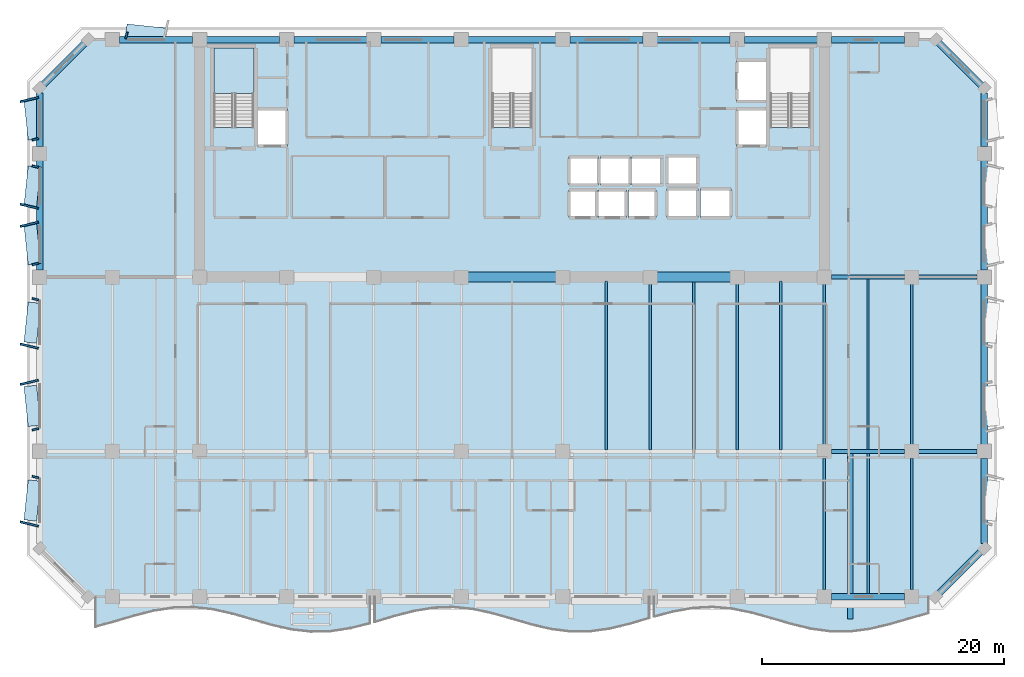
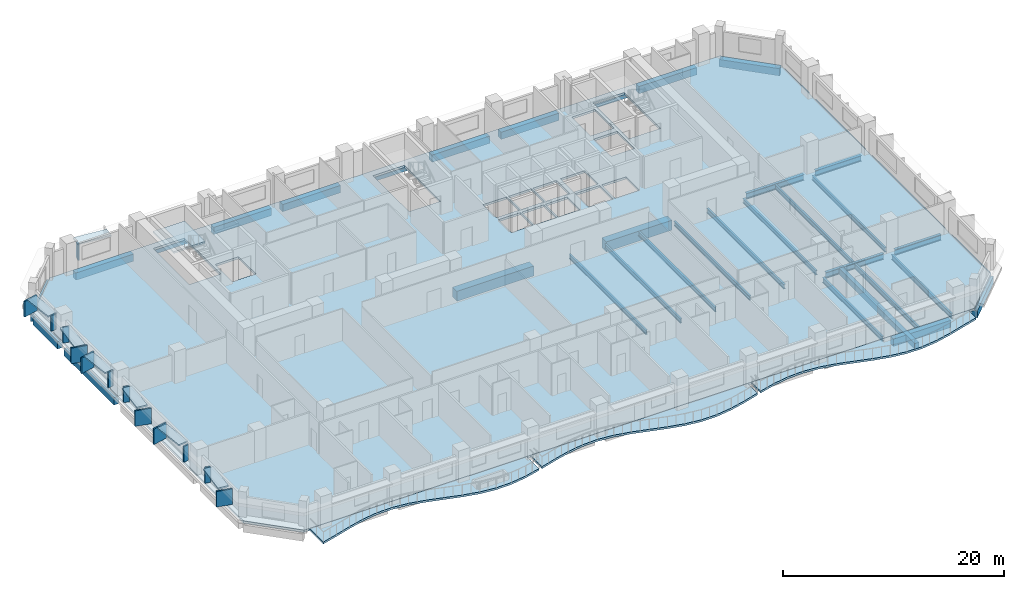
# One storey, part 2 of 15: 37 beams, 20 plates, 5 slabs, 1 element without a shape of its own.
"""IFC4 building model written with IfcOpenShell, lengths in metres."""

from ifc_helpers import new_model, si_unit, direction, frame, origin, origin_2d, place, context, subcontext, project, spatial, polyline, rectangle, i_section, outline, extrude, material, layer, layer_set, material_profile, profile_set, type_object, element, aggregate, save


model = new_model("IFC4")

# Units and contexts
model_context = context("Model", 3, precision=1e-05, world=origin(), true_north=direction((0.0, 1.0)))
body_context = subcontext(model_context, "Body", "Model", "MODEL_VIEW")
ifc_project = project(units=[si_unit("LENGTHUNIT", "METRE"), si_unit("AREAUNIT", "SQUARE_METRE"), si_unit("VOLUMEUNIT", "CUBIC_METRE"), si_unit("PLANEANGLEUNIT", "RADIAN"), si_unit("MASSUNIT", "GRAM", prefix="KILO")], contexts=[model_context])

# Site, building, storey
site_placement = place(None, origin())
site = spatial("IfcSite", under=ifc_project, at=site_placement, CompositionType="ELEMENT")
building_placement = place(site_placement, origin())
building = spatial("IfcBuilding", under=site, at=building_placement, Name="Kaelvorn Grand Hotel", CompositionType="ELEMENT")
storey_placement = place(building_placement, frame((0.0, 0.0, 154.35009765625)))
storey = spatial("IfcBuildingStorey", under=building, at=storey_placement, Name="L37", CompositionType="ELEMENT", Elevation=154.35009765625)

# Beams
ifc_material_1 = material(Name="Steel S355", Category="steel")
ifc_material_profile_1 = material_profile(ifc_material_1, i_section(OverallWidth=0.300048828125, OverallDepth=0.64990234375, WebThickness=0.01611328125, FlangeThickness=0.031005859375, FilletRadius=0.027099609375, at=origin_2d()), Name="HEB 650")
ifc_profile_set_1 = profile_set([ifc_material_profile_1], Name="Steel S355")
beam_type_1 = type_object("IfcBeamType", Name="BM-G-HEB650-S355", PredefinedType="BEAM", material=ifc_profile_set_1)
beam_1_placement = place(storey_placement, frame((68.385009765625, 15.0, -0.565185546875), z_axis=(1.0, 0.0, 0.0), x_axis=(0.0, 1.0, 0.0)))
element("IfcBeam", 1, at=beam_1_placement, inside=storey, type_object=beam_type_1, Name="L37 Primary Spine Steel Girder G-15 06", PredefinedType="BEAM", context=body_context, shape_type="SweptSolid", body=[
    extrude(i_section(OverallWidth=0.300048828125, OverallDepth=0.64990234375, WebThickness=0.01611328125, FlangeThickness=0.031005859375, FilletRadius=0.027099609375, at=origin_2d()), origin(), (0.0, 0.0, 1.0), 6.030029296875),
])
beam_2_placement = place(storey_placement, frame((75.5849609375, 15.0, -0.565185546875), z_axis=(1.0, 0.0, 0.0), x_axis=(0.0, 1.0, 0.0)))
element("IfcBeam", 2, at=beam_2_placement, inside=storey, type_object=beam_type_1, Name="L37 Primary Spine Steel Girder G-15 07", PredefinedType="BEAM", context=body_context, shape_type="SweptSolid", body=[
    extrude(i_section(OverallWidth=0.300048828125, OverallDepth=0.64990234375, WebThickness=0.01611328125, FlangeThickness=0.031005859375, FilletRadius=0.027099609375, at=origin_2d()), origin(), (0.0, 0.0, 1.0), 4.830078125),
])
beam_3_placement = place(storey_placement, frame((68.385009765625, 29.39990234375, -0.565185546875), z_axis=(1.0, 0.0, 0.0), x_axis=(0.0, 1.0, 0.0)))
element("IfcBeam", 3, at=beam_3_placement, inside=storey, type_object=beam_type_1, Name="L37 East Core Wing Steel Girder G-29E 01", PredefinedType="BEAM", context=body_context, shape_type="SweptSolid", body=[
    extrude(i_section(OverallWidth=0.300048828125, OverallDepth=0.64990234375, WebThickness=0.01611328125, FlangeThickness=0.031005859375, FilletRadius=0.027099609375, at=origin_2d()), origin(), (0.0, 0.0, 1.0), 6.030029296875),
])
beam_4_placement = place(storey_placement, frame((75.5849609375, 29.39990234375, -0.565185546875), z_axis=(1.0, 0.0, 0.0), x_axis=(0.0, 1.0, 0.0)))
element("IfcBeam", 4, at=beam_4_placement, inside=storey, type_object=beam_type_1, Name="L37 East Core Wing Steel Girder G-29E 02", PredefinedType="BEAM", context=body_context, shape_type="SweptSolid", body=[
    extrude(i_section(OverallWidth=0.300048828125, OverallDepth=0.64990234375, WebThickness=0.01611328125, FlangeThickness=0.031005859375, FilletRadius=0.027099609375, at=origin_2d()), origin(), (0.0, 0.0, 1.0), 4.830078125),
])
ifc_material_profile_2 = material_profile(ifc_material_1, i_section(OverallWidth=0.199951171875, OverallDepth=0.5, WebThickness=0.01025390625, FlangeThickness=0.01611328125, FilletRadius=0.02099609375, at=origin_2d()), Name="IPE 500")
ifc_profile_set_2 = profile_set([ifc_material_profile_2], Name="Steel S355")
beam_type_2 = type_object("IfcBeamType", Name="BM-J-IPE500-S355", PredefinedType="JOIST", material=ifc_profile_set_2)
beam_5_placement = place(storey_placement, frame((49.800048828125, 15.135009765625, -0.489990234375), z_axis=(0.0, 1.0, 0.0), x_axis=(-1.0, 0.0, 0.0)))
element("IfcBeam", 5, at=beam_5_placement, inside=storey, type_object=beam_type_2, Name="L37 Composite Floor Joist JM-14", PredefinedType="JOIST", context=body_context, shape_type="SweptSolid", body=[
    extrude(i_section(OverallWidth=0.199951171875, OverallDepth=0.5, WebThickness=0.01025390625, FlangeThickness=0.01611328125, FilletRadius=0.02099609375, at=origin_2d()), origin(), (0.0, 0.0, 1.0), 13.925048828125),
])
beam_6_placement = place(storey_placement, frame((53.39990234375, 15.135009765625, -0.489990234375), z_axis=(0.0, 1.0, 0.0), x_axis=(-1.0, 0.0, 0.0)))
element("IfcBeam", 6, at=beam_6_placement, inside=storey, type_object=beam_type_2, Name="L37 Composite Floor Joist JM-15", PredefinedType="JOIST", context=body_context, shape_type="SweptSolid", body=[
    extrude(i_section(OverallWidth=0.199951171875, OverallDepth=0.5, WebThickness=0.01025390625, FlangeThickness=0.01611328125, FilletRadius=0.02099609375, at=origin_2d()), origin(), (0.0, 0.0, 1.0), 13.679931640625),
])
beam_7_placement = place(storey_placement, frame((57.0, 15.135009765625, -0.489990234375), z_axis=(0.0, 1.0, 0.0), x_axis=(-1.0, 0.0, 0.0)))
element("IfcBeam", 7, at=beam_7_placement, inside=storey, type_object=beam_type_2, Name="L37 Composite Floor Joist JM-16", PredefinedType="JOIST", context=body_context, shape_type="SweptSolid", body=[
    extrude(i_section(OverallWidth=0.199951171875, OverallDepth=0.5, WebThickness=0.01025390625, FlangeThickness=0.01611328125, FilletRadius=0.02099609375, at=origin_2d()), origin(), (0.0, 0.0, 1.0), 13.925048828125),
])
beam_8_placement = place(storey_placement, frame((60.60009765625, 15.135009765625, -0.489990234375), z_axis=(0.0, 1.0, 0.0), x_axis=(-1.0, 0.0, 0.0)))
element("IfcBeam", 8, at=beam_8_placement, inside=storey, type_object=beam_type_2, Name="L37 Composite Floor Joist JM-17", PredefinedType="JOIST", context=body_context, shape_type="SweptSolid", body=[
    extrude(i_section(OverallWidth=0.199951171875, OverallDepth=0.5, WebThickness=0.01025390625, FlangeThickness=0.01611328125, FilletRadius=0.02099609375, at=origin_2d()), origin(), (0.0, 0.0, 1.0), 13.679931640625),
])
beam_9_placement = place(storey_placement, frame((64.199951171875, 15.135009765625, -0.489990234375), z_axis=(0.0, 1.0, 0.0), x_axis=(-1.0, 0.0, 0.0)))
element("IfcBeam", 9, at=beam_9_placement, inside=storey, type_object=beam_type_2, Name="L37 Composite Floor Joist JM-18", PredefinedType="JOIST", context=body_context, shape_type="SweptSolid", body=[
    extrude(i_section(OverallWidth=0.199951171875, OverallDepth=0.5, WebThickness=0.01025390625, FlangeThickness=0.01611328125, FilletRadius=0.02099609375, at=origin_2d()), origin(), (0.0, 0.0, 1.0), 13.925048828125),
])
beam_10_placement = place(storey_placement, frame((67.800048828125, 15.5849609375, -0.489990234375), z_axis=(0.0, 1.0, 0.0), x_axis=(-1.0, 0.0, 0.0)))
element("IfcBeam", 10, at=beam_10_placement, inside=storey, type_object=beam_type_2, Name="L37 Composite Floor Joist JM-19", PredefinedType="JOIST", context=body_context, shape_type="SweptSolid", body=[
    extrude(i_section(OverallWidth=0.199951171875, OverallDepth=0.5, WebThickness=0.01025390625, FlangeThickness=0.01611328125, FilletRadius=0.02099609375, at=origin_2d()), origin(), (0.0, 0.0, 1.0), 13.22998046875),
])
beam_11_placement = place(storey_placement, frame((71.39990234375, 15.135009765625, -0.489990234375), z_axis=(0.0, 1.0, 0.0), x_axis=(-1.0, 0.0, 0.0)))
element("IfcBeam", 11, at=beam_11_placement, inside=storey, type_object=beam_type_2, Name="L37 Composite Floor Joist JM-20", PredefinedType="JOIST", context=body_context, shape_type="SweptSolid", body=[
    extrude(i_section(OverallWidth=0.199951171875, OverallDepth=0.5, WebThickness=0.01025390625, FlangeThickness=0.01611328125, FilletRadius=0.02099609375, at=origin_2d()), origin(), (0.0, 0.0, 1.0), 14.1298828125),
])
beam_12_placement = place(storey_placement, frame((75.0, 15.5849609375, -0.489990234375), z_axis=(0.0, 1.0, 0.0), x_axis=(-1.0, 0.0, 0.0)))
element("IfcBeam", 12, at=beam_12_placement, inside=storey, type_object=beam_type_2, Name="L37 Composite Floor Joist JM-21", PredefinedType="JOIST", context=body_context, shape_type="SweptSolid", body=[
    extrude(i_section(OverallWidth=0.199951171875, OverallDepth=0.5, WebThickness=0.01025390625, FlangeThickness=0.01611328125, FilletRadius=0.02099609375, at=origin_2d()), origin(), (0.0, 0.0, 1.0), 13.22998046875),
])
ifc_material_profile_3 = material_profile(ifc_material_1, i_section(OverallWidth=0.2099609375, OverallDepth=0.550048828125, WebThickness=0.010986328125, FlangeThickness=0.01708984375, FilletRadius=0.02392578125, at=origin_2d()), Name="IPE 550")
ifc_profile_set_3 = profile_set([ifc_material_profile_3], Name="Steel S355")
beam_type_3 = type_object("IfcBeamType", Name="BM-J-IPE550-S355", PredefinedType="JOIST", material=ifc_profile_set_3)
beam_13_placement = place(storey_placement, frame((67.800048828125, 3.5849609375, -0.51513671875), z_axis=(0.0, 1.0, 0.0), x_axis=(-1.0, 0.0, 0.0)))
element("IfcBeam", 13, at=beam_13_placement, inside=storey, type_object=beam_type_3, Name="L37 Composite Floor Joist JS-19", PredefinedType="JOIST", context=body_context, shape_type="SweptSolid", body=[
    extrude(i_section(OverallWidth=0.2099609375, OverallDepth=0.550048828125, WebThickness=0.010986328125, FlangeThickness=0.01708984375, FilletRadius=0.02392578125, at=origin_2d()), origin(), (0.0, 0.0, 1.0), 10.830078125),
])
beam_14_placement = place(storey_placement, frame((71.39990234375, 3.260009765625, -0.51513671875), z_axis=(0.0, 1.0, 0.0), x_axis=(-1.0, 0.0, 0.0)))
element("IfcBeam", 14, at=beam_14_placement, inside=storey, type_object=beam_type_3, Name="L37 Composite Floor Joist JS-20", PredefinedType="JOIST", context=body_context, shape_type="SweptSolid", body=[
    extrude(i_section(OverallWidth=0.2099609375, OverallDepth=0.550048828125, WebThickness=0.010986328125, FlangeThickness=0.01708984375, FilletRadius=0.02392578125, at=origin_2d()), origin(), (0.0, 0.0, 1.0), 11.60498046875),
])
beam_15_placement = place(storey_placement, frame((75.0, 3.5849609375, -0.51513671875), z_axis=(0.0, 1.0, 0.0), x_axis=(-1.0, 0.0, 0.0)))
element("IfcBeam", 15, at=beam_15_placement, inside=storey, type_object=beam_type_3, Name="L37 Composite Floor Joist JS-21", PredefinedType="JOIST", context=body_context, shape_type="SweptSolid", body=[
    extrude(i_section(OverallWidth=0.2099609375, OverallDepth=0.550048828125, WebThickness=0.010986328125, FlangeThickness=0.01708984375, FilletRadius=0.02392578125, at=origin_2d()), origin(), (0.0, 0.0, 1.0), 10.830078125),
])
ifc_material_2 = material(Name="Concrete C60/75", Category="concrete")
ifc_material_profile_4 = material_profile(ifc_material_2, rectangle(XDim=0.800048828125, YDim=1.10009765625, at=origin_2d()), Name="RC LINTEL 800x1100")
ifc_profile_set_4 = profile_set([ifc_material_profile_4], Name="Concrete C60/75")
beam_type_4 = type_object("IfcBeamType", Name="BM-LIN-800x1100-C60", PredefinedType="LINTEL", material=ifc_profile_set_4)
beam_16_placement = place(storey_placement, frame((37.97998046875, 29.39990234375, -0.7900390625), z_axis=(1.0, 0.0, 0.0), x_axis=(0.0, 1.0, 0.0)))
element("IfcBeam", 16, at=beam_16_placement, inside=storey, type_object=beam_type_4, Name="L37 Rear-Core Coupling Lintel Beam CB1-02", PredefinedType="LINTEL", context=body_context, shape_type="SweptSolid", body=[
    extrude(rectangle(XDim=0.800048828125, YDim=1.10009765625, at=origin_2d()), origin(), (0.0, 0.0, 1.0), 8.0400390625),
])
beam_17_placement = place(storey_placement, frame((53.580078125, 29.39990234375, -0.7900390625), z_axis=(1.0, 0.0, 0.0), x_axis=(0.0, 1.0, 0.0)))
element("IfcBeam", 17, at=beam_17_placement, inside=storey, type_object=beam_type_4, Name="L37 Rear-Core Coupling Lintel Beam CB1-03", PredefinedType="LINTEL", context=body_context, shape_type="SweptSolid", body=[
    extrude(rectangle(XDim=0.800048828125, YDim=1.10009765625, at=origin_2d()), origin(), (0.0, 0.0, 1.0), 6.83984375),
])
ifc_material_3 = material(Name="Concrete C40/50", Category="concrete")
ifc_material_profile_5 = material_profile(ifc_material_3, rectangle(XDim=0.449951171875, YDim=0.64990234375, at=origin_2d()), Name="RC RIB 450x650")
ifc_profile_set_5 = profile_set([ifc_material_profile_5], Name="Concrete C40/50")
beam_type_5 = type_object("IfcBeamType", Name="BM-RIB-450x650-C40", PredefinedType="SPANDREL", material=ifc_profile_set_5)
beam_18_placement = place(storey_placement, frame((69.923828125, 1.14990234375, -0.545166015625), z_axis=(0.0, 1.0, 0.0), x_axis=(-1.0, 0.0, 0.0)))
element("IfcBeam", 18, at=beam_18_placement, inside=storey, type_object=beam_type_5, Name="L37 Cantilevered Balcony Back-Span Rib RB1-3", PredefinedType="SPANDREL", context=body_context, shape_type="SweptSolid", body=[
    extrude(rectangle(XDim=0.449951171875, YDim=0.64990234375, at=origin_2d()), origin(), (0.0, 0.0, 1.0), 13.715087890625),
])
ifc_material_4 = material(Name="Concrete C50/60", Category="concrete")
ifc_material_profile_6 = material_profile(ifc_material_4, rectangle(XDim=0.550048828125, YDim=0.800048828125, at=origin_2d()), Name="RC SPANDREL 550x800")
ifc_profile_set_6 = profile_set([ifc_material_profile_6], Name="Concrete C50/60")
beam_type_6 = type_object("IfcBeamType", Name="BM-SP-550x800-C50", PredefinedType="SPANDREL", material=ifc_profile_set_6)
for number, where, z_axis, x_axis, name in (
    (19, (68.385009765625, 3.0, -0.64013671875), (1.0, 0.0, 0.0), (0.0, 1.0, 0.0), "L37 South Perimeter Spandrel 10"),
    (20, (9.5849609375, 49.0, -0.64013671875), (1.0, 0.0, 0.0), (0.0, 1.0, 0.0), "L37 North Perimeter Spandrel 02"),
    (21, (16.784912109375, 49.0, -0.64013671875), (1.0, 0.0, 0.0), (0.0, 1.0, 0.0), "L37 North Perimeter Spandrel 03"),
):
    element("IfcBeam", number, at=place(storey_placement, frame(where, z_axis=z_axis, x_axis=x_axis)), inside=storey, type_object=beam_type_6, Name=name, PredefinedType="SPANDREL", context=body_context, shape_type="SweptSolid", body=[
        extrude(rectangle(XDim=0.550048828125, YDim=0.800048828125, at=origin_2d()), origin(), (0.0, 0.0, 1.0), 6.030029296875),
    ])
beam_19_placement = place(storey_placement, frame((23.985107421875, 49.0, -0.64013671875), z_axis=(1.0, 0.0, 0.0), x_axis=(0.0, 1.0, 0.0)))
element("IfcBeam", 22, at=beam_19_placement, inside=storey, type_object=beam_type_6, Name="L37 North Perimeter Spandrel 04", PredefinedType="SPANDREL", context=body_context, shape_type="SweptSolid", body=[
    extrude(rectangle(XDim=0.550048828125, YDim=0.800048828125, at=origin_2d()), origin(), (0.0, 0.0, 1.0), 6.02978515625),
])
beam_20_placement = place(storey_placement, frame((31.18505859375, 49.0, -0.64013671875), z_axis=(1.0, 0.0, 0.0), x_axis=(0.0, 1.0, 0.0)))
element("IfcBeam", 23, at=beam_20_placement, inside=storey, type_object=beam_type_6, Name="L37 North Perimeter Spandrel 05", PredefinedType="SPANDREL", context=body_context, shape_type="SweptSolid", body=[
    extrude(rectangle(XDim=0.550048828125, YDim=0.800048828125, at=origin_2d()), origin(), (0.0, 0.0, 1.0), 6.030029296875),
])
beam_21_placement = place(storey_placement, frame((38.385009765625, 49.0, -0.64013671875), z_axis=(1.0, 0.0, 0.0), x_axis=(0.0, 1.0, 0.0)))
element("IfcBeam", 24, at=beam_21_placement, inside=storey, type_object=beam_type_6, Name="L37 North Perimeter Spandrel 06", PredefinedType="SPANDREL", context=body_context, shape_type="SweptSolid", body=[
    extrude(rectangle(XDim=0.550048828125, YDim=0.800048828125, at=origin_2d()), origin(), (0.0, 0.0, 1.0), 7.22998046875),
])
beam_22_placement = place(storey_placement, frame((46.784912109375, 49.0, -0.64013671875), z_axis=(1.0, 0.0, 0.0), x_axis=(0.0, 1.0, 0.0)))
element("IfcBeam", 25, at=beam_22_placement, inside=storey, type_object=beam_type_6, Name="L37 North Perimeter Spandrel 07", PredefinedType="SPANDREL", context=body_context, shape_type="SweptSolid", body=[
    extrude(rectangle(XDim=0.550048828125, YDim=0.800048828125, at=origin_2d()), origin(), (0.0, 0.0, 1.0), 6.030029296875),
])
beam_23_placement = place(storey_placement, frame((53.985107421875, 49.0, -0.64013671875), z_axis=(1.0, 0.0, 0.0), x_axis=(0.0, 1.0, 0.0)))
element("IfcBeam", 26, at=beam_23_placement, inside=storey, type_object=beam_type_6, Name="L37 North Perimeter Spandrel 08", PredefinedType="SPANDREL", context=body_context, shape_type="SweptSolid", body=[
    extrude(rectangle(XDim=0.550048828125, YDim=0.800048828125, at=origin_2d()), origin(), (0.0, 0.0, 1.0), 6.02978515625),
])
for number, where, z_axis, x_axis, name in (
    (27, (61.18505859375, 49.0, -0.64013671875), (1.0, 0.0, 0.0), (0.0, 1.0, 0.0), "L37 North Perimeter Spandrel 09"),
    (28, (68.385009765625, 49.0, -0.64013671875), (1.0, 0.0, 0.0), (0.0, 1.0, 0.0), "L37 North Perimeter Spandrel 10"),
):
    element("IfcBeam", number, at=place(storey_placement, frame(where, z_axis=z_axis, x_axis=x_axis)), inside=storey, type_object=beam_type_6, Name=name, PredefinedType="SPANDREL", context=body_context, shape_type="SweptSolid", body=[
        extrude(rectangle(XDim=0.550048828125, YDim=0.800048828125, at=origin_2d()), origin(), (0.0, 0.0, 1.0), 6.030029296875),
    ])
beam_24_placement = place(storey_placement, frame((3.0, 29.985107421875, -0.64013671875), z_axis=(0.0, 1.0, 0.0), x_axis=(-1.0, 0.0, 0.0)))
element("IfcBeam", 29, at=beam_24_placement, inside=storey, type_object=beam_type_6, Name="L37 West Perimeter Spandrel 03", PredefinedType="SPANDREL", context=body_context, shape_type="SweptSolid", body=[
    extrude(rectangle(XDim=0.550048828125, YDim=0.800048828125, at=origin_2d()), origin(), (0.0, 0.0, 1.0), 9.02978515625),
])
beam_25_placement = place(storey_placement, frame((3.0, 40.18505859375, -0.64013671875), z_axis=(0.0, 1.0, 0.0), x_axis=(-1.0, 0.0, 0.0)))
element("IfcBeam", 30, at=beam_25_placement, inside=storey, type_object=beam_type_6, Name="L37 West Perimeter Spandrel 04", PredefinedType="SPANDREL", context=body_context, shape_type="SweptSolid", body=[
    extrude(rectangle(XDim=0.550048828125, YDim=0.800048828125, at=origin_2d()), origin(), (0.0, 0.0, 1.0), 4.409912109375),
])
beam_26_placement = place(storey_placement, frame((81.0, 7.405029296875, -0.64013671875), z_axis=(0.0, 1.0, 0.0), x_axis=(-1.0, 0.0, 0.0)))
element("IfcBeam", 31, at=beam_26_placement, inside=storey, type_object=beam_type_6, Name="L37 East Perimeter Spandrel 01", PredefinedType="SPANDREL", context=body_context, shape_type="SweptSolid", body=[
    extrude(rectangle(XDim=0.550048828125, YDim=0.800048828125, at=origin_2d()), origin(), (0.0, 0.0, 1.0), 7.010009765625),
])
beam_27_placement = place(storey_placement, frame((81.0, 15.5849609375, -0.64013671875), z_axis=(0.0, 1.0, 0.0), x_axis=(-1.0, 0.0, 0.0)))
element("IfcBeam", 32, at=beam_27_placement, inside=storey, type_object=beam_type_6, Name="L37 East Perimeter Spandrel 02", PredefinedType="SPANDREL", context=body_context, shape_type="SweptSolid", body=[
    extrude(rectangle(XDim=0.550048828125, YDim=0.800048828125, at=origin_2d()), origin(), (0.0, 0.0, 1.0), 13.22998046875),
])
beam_28_placement = place(storey_placement, frame((81.0, 29.985107421875, -0.64013671875), z_axis=(0.0, 1.0, 0.0), x_axis=(-1.0, 0.0, 0.0)))
element("IfcBeam", 33, at=beam_28_placement, inside=storey, type_object=beam_type_6, Name="L37 East Perimeter Spandrel 03", PredefinedType="SPANDREL", context=body_context, shape_type="SweptSolid", body=[
    extrude(rectangle(XDim=0.550048828125, YDim=0.800048828125, at=origin_2d()), origin(), (0.0, 0.0, 1.0), 9.02978515625),
])
beam_29_placement = place(storey_placement, frame((81.0, 40.18505859375, -0.64013671875), z_axis=(0.0, 1.0, 0.0), x_axis=(-1.0, 0.0, 0.0)))
element("IfcBeam", 34, at=beam_29_placement, inside=storey, type_object=beam_type_6, Name="L37 East Perimeter Spandrel 04", PredefinedType="SPANDREL", context=body_context, shape_type="SweptSolid", body=[
    extrude(rectangle(XDim=0.550048828125, YDim=0.800048828125, at=origin_2d()), origin(), (0.0, 0.0, 1.0), 4.409912109375),
])
for number, where, z_axis, x_axis, name in (
    (35, (77.0, 3.0, -0.64013671875), (0.707106781187, 0.707106781187, 0.0), (-0.707106781187, 0.707106781187, 0.0), "L37 Chamfer Spandrel Beam 1"),
    (36, (81.0, 45.0, -0.64013671875), (-0.707106781187, 0.707106781187, 0.0), (-0.707106781187, -0.707106781187, 0.0), "L37 Chamfer Spandrel Beam 2"),
    (37, (7.0, 49.0, -0.64013671875), (-0.707106781187, -0.707106781187, 0.0), (0.707106781187, -0.707106781187, 0.0), "L37 Chamfer Spandrel Beam 3"),
):
    element("IfcBeam", number, at=place(storey_placement, frame(where, z_axis=z_axis, x_axis=x_axis)), inside=storey, type_object=beam_type_6, Name=name, PredefinedType="SPANDREL", context=body_context, shape_type="SweptSolid", body=[
        extrude(rectangle(XDim=0.550048828125, YDim=0.800048828125, at=origin_2d()), origin(), (0.0, 0.0, 1.0), 5.65673828125),
    ])

# Plates
ifc_material_5 = material(Name="Precast concrete C45/55", Category="concrete")
ifc_layer_1 = layer(ifc_material_5, 0.159912109375)
ifc_layer_set_1 = layer_set([ifc_layer_1], Name="Precast concrete C45/55")
plate_type_1 = type_object("IfcPlateType", Name="PL-FRAME-DEEP-1550", PredefinedType="USERDEFINED", material=ifc_layer_set_1)
for number, where, z_axis, x_axis, name in (
    (38, (2.14501953125, 9.010009765625, 0.81494140625), (0.0, 0.0, 1.0), (0.233445363856, 0.972369920398, 0.0), "L37 Tilted Precast Window Frame Fin L-W01"),
    (39, (2.14501953125, 20.705078125, 0.81494140625), (0.0, 0.0, 1.0), (-0.233445363856, 0.972369920398, 0.0), "L37 Tilted Precast Window Frame Fin R-W02"),
    (40, (2.14501953125, 23.695068359375, 0.81494140625), (0.0, 0.0, 1.0), (0.233445363856, 0.972369920398, 0.0), "L37 Tilted Precast Window Frame Fin L-W03"),
    (41, (2.14501953125, 33.7548828125, 0.73974609375), (0.0, 0.0, 1.0), (-0.233445363856, 0.972369920398, 0.0), "L37 Tilted Precast Window Frame Fin R-W04"),
    (42, (2.14501953125, 35.2451171875, 0.73974609375), (0.0, 0.0, 1.0), (0.233445363856, 0.972369920398, 0.0), "L37 Tilted Precast Window Frame Fin L-W05"),
    (43, (2.14501953125, 44.054931640625, 0.73974609375), (0.0, 0.0, 1.0), (-0.233445363856, 0.972369920398, 0.0), "L37 Tilted Precast Window Frame Fin R-W06"),
):
    element("IfcPlate", number, at=place(storey_placement, frame(where, z_axis=z_axis, x_axis=x_axis)), inside=storey, type_object=plate_type_1, Name=name, ObjectType="FLANGE_PLATE", PredefinedType="USERDEFINED", context=body_context, shape_type="SweptSolid", body=[
        extrude(rectangle(XDim=0.159912109375, YDim=1.550048828125, at=origin_2d()), origin(), (0.0, 0.0, 1.0), 1.719970703125),
    ])
ifc_layer_2 = layer(ifc_material_5, 0.159912109375)
ifc_layer_set_2 = layer_set([ifc_layer_2], Name="Precast concrete C45/55")
plate_type_2 = type_object("IfcPlateType", Name="PL-FRAME-HEAD-1050", PredefinedType="USERDEFINED", material=ifc_layer_set_2)
for number, where, z_axis, x_axis, name in (
    (44, (2.39501953125, 10.949951171875, 2.5), (0.0, 0.0, 1.0), (0.105830199459, 0.994384215926, 0.0), "L37 Precast Window Frame Head Hood H-W01"),
    (45, (2.39501953125, 18.764892578125, 2.5), (0.0, 0.0, 1.0), (-0.105830199459, 0.994384215926, 0.0), "L37 Precast Window Frame Head Hood H-W02"),
    (46, (2.39501953125, 25.635009765625, 2.5), (0.0, 0.0, 1.0), (0.105830199459, 0.994384215926, 0.0), "L37 Precast Window Frame Head Hood H-W03"),
    (47, (2.39501953125, 32.114990234375, 2.35009765625), (0.0, 0.0, 1.0), (-0.105830199459, 0.994384215926, 0.0), "L37 Precast Window Frame Head Hood H-W04"),
    (48, (2.39501953125, 36.885009765625, 2.35009765625), (0.0, 0.0, 1.0), (0.105830199459, 0.994384215926, 0.0), "L37 Precast Window Frame Head Hood H-W05"),
    (49, (2.39501953125, 42.4150390625, 2.35009765625), (0.0, 0.0, 1.0), (-0.105830199459, 0.994384215926, 0.0), "L37 Precast Window Frame Head Hood H-W06"),
    (50, (11.800048828125, 49.60498046875, 2.35009765625), (0.0, 0.0, 1.0), (0.994384215926, -0.105830199459, 0.0), "L37 Precast Window Frame Head Hood H-N01"),
):
    element("IfcPlate", number, at=place(storey_placement, frame(where, z_axis=z_axis, x_axis=x_axis)), inside=storey, type_object=plate_type_2, Name=name, ObjectType="FLANGE_PLATE", PredefinedType="USERDEFINED", context=body_context, shape_type="SweptSolid", body=[
        extrude(rectangle(XDim=3.320068359375, YDim=1.050048828125, at=origin_2d()), origin(), (0.0, 0.0, 1.0), 0.159912109375),
    ])
ifc_layer_3 = layer(ifc_material_5, 0.159912109375)
ifc_layer_set_3 = layer_set([ifc_layer_3], Name="Precast concrete C45/55")
plate_type_3 = type_object("IfcPlateType", Name="PL-FRAME-SHAL-550", PredefinedType="USERDEFINED", material=ifc_layer_set_3)
for number, where, z_axis, x_axis, name in (
    (51, (2.64501953125, 12.889892578125, 0.81494140625), (0.0, 0.0, 1.0), (0.233445363856, 0.972369920398, 0.0), "L37 Tilted Precast Window Frame Fin R-W01"),
    (52, (2.64501953125, 16.824951171875, 0.81494140625), (0.0, 0.0, 1.0), (-0.233445363856, 0.972369920398, 0.0), "L37 Tilted Precast Window Frame Fin L-W02"),
    (53, (2.64501953125, 27.574951171875, 0.81494140625), (0.0, 0.0, 1.0), (0.233445363856, 0.972369920398, 0.0), "L37 Tilted Precast Window Frame Fin R-W03"),
    (54, (2.64501953125, 30.47509765625, 0.73974609375), (0.0, 0.0, 1.0), (-0.233445363856, 0.972369920398, 0.0), "L37 Tilted Precast Window Frame Fin L-W04"),
    (55, (2.64501953125, 38.52490234375, 0.73974609375), (0.0, 0.0, 1.0), (0.233445363856, 0.972369920398, 0.0), "L37 Tilted Precast Window Frame Fin R-W05"),
    (56, (2.64501953125, 40.77490234375, 0.73974609375), (0.0, 0.0, 1.0), (-0.233445363856, 0.972369920398, 0.0), "L37 Tilted Precast Window Frame Fin L-W06"),
    (57, (10.159912109375, 49.35498046875, 0.73974609375), (0.0, 0.0, 1.0), (0.972369920398, -0.233445363856, 0.0), "L37 Tilted Precast Window Frame Fin L-N01"),
):
    element("IfcPlate", number, at=place(storey_placement, frame(where, z_axis=z_axis, x_axis=x_axis)), inside=storey, type_object=plate_type_3, Name=name, ObjectType="FLANGE_PLATE", PredefinedType="USERDEFINED", context=body_context, shape_type="SweptSolid", body=[
        extrude(rectangle(XDim=0.159912109375, YDim=0.550048828125, at=origin_2d()), origin(), (0.0, 0.0, 1.0), 1.719970703125),
    ])

# Slabs
ifc_layer_4 = layer(ifc_material_3, 0.219970703125)
ifc_layer_set_4 = layer_set([ifc_layer_4], Name="Concrete C40/50")
slab_type_1 = type_object("IfcSlabType", Name="SLB-BALC-220-C40", PredefinedType="FLOOR", material=ifc_layer_set_4)
slab_1_placement = place(storey_placement, frame((0.0, 0.0, -0.22021484375)))
element("IfcSlab", 58, at=slab_1_placement, inside=storey, type_object=slab_type_1, Name="L37 Scalloped Wave Balcony Slab 1", PredefinedType="FLOOR", context=body_context, shape_type="SweptSolid", body=[
    extrude(outline(polyline([(7.60009765625, 0.5224609375), (9.218994140625, 0.96435546875), (10.838134765625, 1.441162109375), (12.45703125, 1.84912109375), (14.076171875, 2.099365234375), (15.6953125, 2.1376953125), (17.314208984375, 1.955322265625), (18.933349609375, 1.592041015625), (20.552490234375, 1.127197265625), (22.17138671875, 0.661865234375), (23.79052734375, 0.29736328125), (25.409423828125, 0.113037109375), (27.028564453125, 0.149169921875), (28.647705078125, 0.397705078125), (30.2666015625, 0.804443359375), (30.2666015625, 3.0), (7.60009765625, 3.0), (7.60009765625, 0.5224609375)])), origin(), (0.0, 0.0, 1.0), 0.22021484375),
])
slab_2_placement = place(storey_placement, frame((0.0, 0.0, -0.22021484375)))
element("IfcSlab", 59, at=slab_2_placement, inside=storey, type_object=slab_type_1, Name="L37 Scalloped Wave Balcony Slab 2", PredefinedType="FLOOR", context=body_context, shape_type="SweptSolid", body=[
    extrude(outline(polyline([(30.666748046875, 0.919677734375), (32.28564453125, 1.397705078125), (33.90478515625, 1.81640625), (35.52392578125, 2.08447265625), (37.142822265625, 2.1435546875), (38.761962890625, 1.98095703125), (40.380859375, 1.632080078125), (42.0, 1.172607421875), (43.619140625, 0.702880859375), (45.238037109375, 0.324951171875), (46.857177734375, 0.121337890625), (48.47607421875, 0.13623046875), (50.09521484375, 0.3662109375), (51.71435546875, 0.76171875), (53.333251953125, 1.236083984375), (53.333251953125, 3.0), (30.666748046875, 3.0), (30.666748046875, 0.919677734375)])), origin(), (0.0, 0.0, 1.0), 0.22021484375),
])
slab_3_placement = place(storey_placement, frame((0.0, 0.0, -0.22021484375)))
element("IfcSlab", 60, at=slab_3_placement, inside=storey, type_object=slab_type_1, Name="L37 Scalloped Wave Balcony Slab 3", PredefinedType="FLOOR", context=body_context, shape_type="SweptSolid", body=[
    extrude(outline(polyline([(53.7333984375, 1.353759765625), (55.352294921875, 1.7822265625), (56.971435546875, 2.067626953125), (58.590576171875, 2.147705078125), (60.20947265625, 2.005126953125), (61.82861328125, 1.671142578125), (63.447509765625, 1.218017578125), (65.066650390625, 0.74462890625), (66.685791015625, 0.354248046875), (68.3046875, 0.131591796875), (69.923828125, 0.125244140625), (71.54296875, 0.33642578125), (73.161865234375, 0.719482421875), (74.781005859375, 1.19091796875), (76.39990234375, 1.647705078125), (76.39990234375, 3.0), (53.7333984375, 3.0), (53.7333984375, 1.353759765625)])), origin(), (0.0, 0.0, 1.0), 0.22021484375),
])
ifc_layer_5 = layer(ifc_material_3, 0.239990234375)
ifc_layer_set_5 = layer_set([ifc_layer_5], Name="Concrete C40/50")
slab_type_2 = type_object("IfcSlabType", Name="SLB-FLR-240-C40", PredefinedType="FLOOR", material=ifc_layer_set_5)
slab_4_placement = place(storey_placement, frame((0.0, 0.0, -0.239990234375)))
element("IfcSlab", 61, at=slab_4_placement, inside=storey, type_object=slab_type_2, Name="L37 Indoor Suspended Floor Slab", PredefinedType="FLOOR", context=body_context, shape_type="SweptSolid", body=[
    extrude(outline(polyline([(7.0, 3.0), (77.0, 3.0), (81.0, 7.0), (81.0, 45.0), (77.0, 49.0), (7.0, 49.0), (3.0, 45.0), (3.0, 7.0), (7.0, 3.0)]), holes=[polyline([(17.39990234375, 41.760009765625), (17.39990234375, 48.300048828125), (20.679931640625, 48.300048828125), (20.679931640625, 41.760009765625), (17.39990234375, 41.760009765625)]), polyline([(40.360107421875, 41.760009765625), (40.360107421875, 48.300048828125), (43.639892578125, 48.300048828125), (43.639892578125, 41.760009765625), (40.360107421875, 41.760009765625)]), polyline([(63.320068359375, 41.760009765625), (63.320068359375, 48.300048828125), (66.60009765625, 48.300048828125), (66.60009765625, 41.760009765625), (63.320068359375, 41.760009765625)]), polyline([(46.699951171875, 34.300048828125), (46.699951171875, 36.60009765625), (49.0, 36.60009765625), (49.0, 34.300048828125), (46.699951171875, 34.300048828125)]), polyline([(49.14990234375, 34.300048828125), (49.14990234375, 36.60009765625), (51.449951171875, 36.60009765625), (51.449951171875, 34.300048828125), (49.14990234375, 34.300048828125)]), polyline([(51.60009765625, 34.300048828125), (51.60009765625, 36.60009765625), (53.89990234375, 36.60009765625), (53.89990234375, 34.300048828125), (51.60009765625, 34.300048828125)]), polyline([(46.699951171875, 37.0), (46.699951171875, 39.35009765625), (49.14990234375, 39.35009765625), (49.14990234375, 37.0), (46.699951171875, 37.0)]), polyline([(49.300048828125, 37.0), (49.300048828125, 39.35009765625), (51.75, 39.35009765625), (51.75, 37.0), (49.300048828125, 37.0)]), polyline([(51.89990234375, 37.0), (51.89990234375, 39.35009765625), (54.35009765625, 39.35009765625), (54.35009765625, 37.0), (51.89990234375, 37.0)]), polyline([(54.800048828125, 34.300048828125), (54.800048828125, 36.699951171875), (57.35009765625, 36.699951171875), (57.35009765625, 34.300048828125), (54.800048828125, 34.300048828125)]), polyline([(57.550048828125, 34.300048828125), (57.550048828125, 36.699951171875), (60.10009765625, 36.699951171875), (60.10009765625, 34.300048828125), (57.550048828125, 34.300048828125)]), polyline([(54.800048828125, 37.0), (54.800048828125, 39.39990234375), (57.35009765625, 39.39990234375), (57.35009765625, 37.0), (54.800048828125, 37.0)]), polyline([(21.0, 40.199951171875), (21.0, 43.300048828125), (23.449951171875, 43.300048828125), (23.449951171875, 40.199951171875), (21.0, 40.199951171875)]), polyline([(60.550048828125, 40.199951171875), (60.550048828125, 43.300048828125), (63.0, 43.300048828125), (63.0, 40.199951171875), (60.550048828125, 40.199951171875)]), polyline([(60.550048828125, 43.89990234375), (60.550048828125, 47.300048828125), (63.0, 47.300048828125), (63.0, 43.89990234375), (60.550048828125, 43.89990234375)])]), origin(), (0.0, 0.0, 1.0), 0.239990234375),
])

# Stair, slab
stair_type = type_object("IfcStairType", Name="STR-DOG-1560-R08", PredefinedType="HALF_TURN_STAIR", material=ifc_material_3)
stair_placement = place(storey_placement, origin())
stair = element("IfcStair", 62, at=stair_placement, inside=storey, type_object=stair_type, Name="L37 West Core Exit Stair ST1", PredefinedType="HALF_TURN_STAIR")
ifc_layer_6 = layer(ifc_material_3, 0.199951171875)
ifc_layer_set_6 = layer_set([ifc_layer_6], Name="Concrete C40/50")
slab_type_3 = type_object("IfcSlabType", Name="SLB-LAND-200-C40", PredefinedType="LANDING", material=ifc_layer_set_6)
slab_5_placement = place(storey_placement, frame((0.0, 0.0, 1.699951171875)))
slab_5 = element("IfcSlab", 63, at=slab_5_placement, type_object=slab_type_3, Name="ST1 landing 1", PredefinedType="LANDING", context=body_context, shape_type="SweptSolid", body=[
    extrude(outline(polyline([(20.679931640625, 44.56005859375), (20.679931640625, 48.300048828125), (17.39990234375, 48.300048828125), (17.39990234375, 44.56005859375), (20.679931640625, 44.56005859375)])), origin(), (0.0, 0.0, 1.0), 0.199951171875),
])
aggregate(stair, [slab_5])

save(model, "model.ifc")
